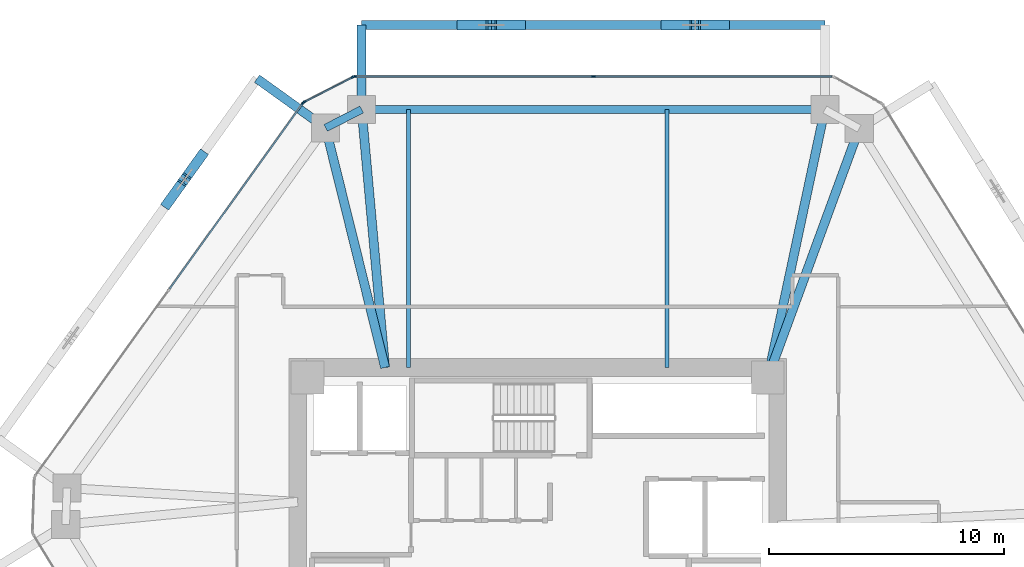
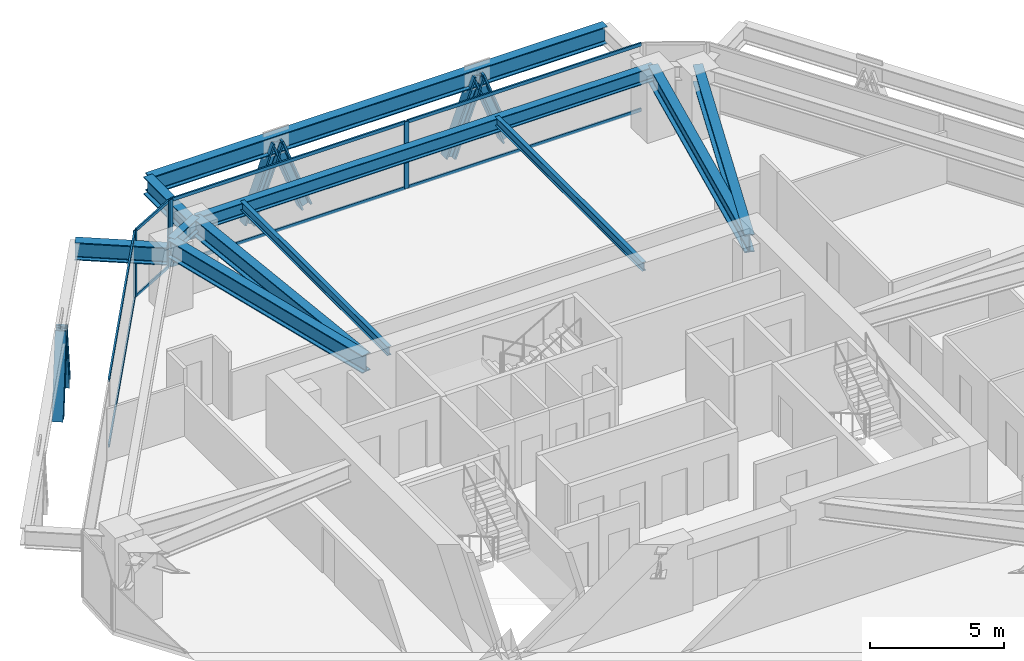
# One storey, part 7 of 15: 19 members, 11 beams, 3 elements without a shape of their own.
"""IFC4 building model written with IfcOpenShell, lengths in metres."""

from ifc_helpers import new_model, si_unit, direction, frame, origin, origin_2d, place, context, subcontext, project, spatial, rectangle, i_section, extrude, source, transform, mapped, material, layer, layer_set, material_profile, profile_set, type_object, type_shapes, element, aggregate, save


model = new_model("IFC4")

# Units and contexts
model_context = context("Model", 3, precision=1e-05, world=origin(), true_north=direction((0.0, 1.0)))
body_context = subcontext(model_context, "Body", "Model", "MODEL_VIEW")
ifc_project = project(units=[si_unit("LENGTHUNIT", "METRE"), si_unit("AREAUNIT", "SQUARE_METRE"), si_unit("VOLUMEUNIT", "CUBIC_METRE"), si_unit("PLANEANGLEUNIT", "RADIAN"), si_unit("MASSUNIT", "GRAM", prefix="KILO")], contexts=[model_context])

# Site, building, storey
site_placement = place(None, origin())
site = spatial("IfcSite", under=ifc_project, at=site_placement, CompositionType="ELEMENT")
building_placement = place(site_placement, origin())
building = spatial("IfcBuilding", under=site, at=building_placement, Name="Durnholm Broadcast Tower", CompositionType="ELEMENT")
storey_placement = place(building_placement, frame((0.0, 0.0, 97.5)))
storey = spatial("IfcBuildingStorey", under=building, at=storey_placement, Name="L25", CompositionType="ELEMENT", Elevation=97.5)

# Beams
ifc_material_1 = material(Name="Steel ASTM A992 Grade 50", Category="steel")
ifc_material_profile_1 = material_profile(ifc_material_1, i_section(OverallWidth=0.385009765625, OverallDepth=0.802978515625, WebThickness=0.023681640625, FlangeThickness=0.0419921875, FilletRadius=0.032958984375, at=origin_2d()), Name="W30X261")
ifc_profile_set_1 = profile_set([ifc_material_profile_1], Name="Steel ASTM A992 Grade 50")
beam_type_1 = type_object("IfcBeamType", Name="BM-EXO-TIE", PredefinedType="USERDEFINED", material=ifc_profile_set_1)
shared_shape_1 = source(origin(), body_context, "Body", "SweptSolid", [
    extrude(i_section(OverallWidth=0.385009765625, OverallDepth=0.802978515625, WebThickness=0.023681640625, FlangeThickness=0.0419921875, FilletRadius=0.032958984375, at=origin_2d()), origin(), (0.0, 0.0, 1.0), 3.4560546875),
])
beam_1_placement = place(storey_placement, frame((-7.498046875, 19.35888671875, 2.30859375), z_axis=(0.0, 1.0, 0.0), x_axis=(-1.0, 0.0, 0.0)))
element("IfcBeam", 1, at=beam_1_placement, inside=storey, type_object=beam_type_1, Name="L25 exoskeleton stand-off tie bracket F4.2", ObjectType="GIRDER", PredefinedType="USERDEFINED", context=body_context, shape_type="MappedRepresentation", body=[
    mapped(shared_shape_1, transform((0.0, 0.0, 0.0), x_axis=(1.0, 0.0, 0.0), y_axis=(0.0, 1.0, 0.0), z_axis=(0.0, 0.0, 1.0), scale=1.0)),
])
ifc_material_profile_2 = material_profile(ifc_material_1, i_section(OverallWidth=0.3291015625, OverallDepth=0.635009765625, WebThickness=0.017822265625, FlangeThickness=0.031005859375, FilletRadius=0.02783203125, at=origin_2d()), Name="W24X162")
ifc_profile_set_2 = profile_set([ifc_material_profile_2], Name="Steel ASTM A992 Grade 50")
beam_type_2 = type_object("IfcBeamType", Name="STL-SP-W24X162", PredefinedType="SPANDREL", material=ifc_profile_set_2)
shared_shape_2 = source(origin(), body_context, "Body", "SweptSolid", [
    extrude(i_section(OverallWidth=0.3291015625, OverallDepth=0.635009765625, WebThickness=0.017822265625, FlangeThickness=0.031005859375, FilletRadius=0.02783203125, at=origin_2d()), origin(), (0.0, 0.0, 1.0), 1.723876953125),
])
beam_2_placement = place(storey_placement, frame((-9.031982421875, 18.42822265625, 2.7275390625), z_axis=(0.889762904339, 0.456423020959, 0.0), x_axis=(-0.456423020959, 0.889762904339, 0.0)))
element("IfcBeam", 2, at=beam_2_placement, inside=storey, type_object=beam_type_2, Name="L25 perimeter spandrel girder 04", PredefinedType="SPANDREL", context=body_context, shape_type="MappedRepresentation", body=[
    mapped(shared_shape_2, transform((0.0, 0.0, 0.0), x_axis=(1.0, 0.0, 0.0), y_axis=(0.0, 1.0, 0.0), z_axis=(0.0, 0.0, 1.0), scale=1.0)),
])
shared_shape_3 = source(origin(), body_context, "Body", "SweptSolid", [
    extrude(i_section(OverallWidth=0.3291015625, OverallDepth=0.635009765625, WebThickness=0.017822265625, FlangeThickness=0.031005859375, FilletRadius=0.02783203125, at=origin_2d()), origin(), (0.0, 0.0, 1.0), 19.72802734375),
])
type_shapes(beam_type_2, [shared_shape_2, shared_shape_3])
beam_3_placement = place(storey_placement, frame((-7.498046875, 19.215087890625, 2.7275390625), z_axis=(1.0, 0.0, 0.0), x_axis=(0.0, 1.0, 0.0)))
element("IfcBeam", 3, at=beam_3_placement, inside=storey, type_object=beam_type_2, Name="L25 perimeter spandrel girder 05", PredefinedType="SPANDREL", context=body_context, shape_type="MappedRepresentation", body=[
    mapped(shared_shape_3, transform((0.0, 0.0, 0.0), x_axis=(1.0, 0.0, 0.0), y_axis=(0.0, 1.0, 0.0), z_axis=(0.0, 0.0, 1.0), scale=1.0)),
])
ifc_material_profile_3 = material_profile(ifc_material_1, i_section(OverallWidth=0.385009765625, OverallDepth=0.802978515625, WebThickness=0.023681640625, FlangeThickness=0.0419921875, FilletRadius=0.032958984375, at=origin_2d()), Name="W30X261")
ifc_profile_set_3 = profile_set([ifc_material_profile_3], Name="Steel ASTM A992 Grade 50")
beam_type_3 = type_object("IfcBeamType", Name="STL-GR-W30X261", PredefinedType="USERDEFINED", material=ifc_profile_set_3)
shared_shape_4 = source(origin(), body_context, "Body", "SweptSolid", [
    extrude(i_section(OverallWidth=0.385009765625, OverallDepth=0.802978515625, WebThickness=0.023681640625, FlangeThickness=0.0419921875, FilletRadius=0.032958984375, at=origin_2d()), origin(), (0.0, 0.0, 1.0), 10.5126953125),
])
beam_4_placement = place(storey_placement, frame((-6.5, 8.22509765625, 2.6435546875), z_axis=(-0.240852230194, 0.970561797729, 0.0), x_axis=(-0.970561797729, -0.240852230194, 0.0)))
element("IfcBeam", 4, at=beam_4_placement, inside=storey, type_object=beam_type_3, Name="L25 radial primary floor girder 04", ObjectType="GIRDER", PredefinedType="USERDEFINED", context=body_context, shape_type="MappedRepresentation", body=[
    mapped(shared_shape_4, transform((0.0, 0.0, 0.0), x_axis=(1.0, 0.0, 0.0), y_axis=(0.0, 1.0, 0.0), z_axis=(0.0, 0.0, 1.0), scale=1.0)),
])
shared_shape_5 = source(origin(), body_context, "Body", "SweptSolid", [
    extrude(i_section(OverallWidth=0.385009765625, OverallDepth=0.802978515625, WebThickness=0.023681640625, FlangeThickness=0.0419921875, FilletRadius=0.032958984375, at=origin_2d()), origin(), (0.0, 0.0, 1.0), 11.03515625),
])
beam_5_placement = place(storey_placement, frame((-6.5, 8.22509765625, 2.6435546875), z_axis=(-0.090441991612, 0.995901725148, 0.0), x_axis=(-0.995901725148, -0.090441991612, 0.0)))
element("IfcBeam", 5, at=beam_5_placement, inside=storey, type_object=beam_type_3, Name="L25 radial primary floor girder 05", ObjectType="GIRDER", PredefinedType="USERDEFINED", context=body_context, shape_type="MappedRepresentation", body=[
    mapped(shared_shape_5, transform((0.0, 0.0, 0.0), x_axis=(1.0, 0.0, 0.0), y_axis=(0.0, 1.0, 0.0), z_axis=(0.0, 0.0, 1.0), scale=1.0)),
])
shared_shape_6 = source(origin(), body_context, "Body", "SweptSolid", [
    extrude(i_section(OverallWidth=0.385009765625, OverallDepth=0.802978515625, WebThickness=0.023681640625, FlangeThickness=0.0419921875, FilletRadius=0.032958984375, at=origin_2d()), origin(), (0.0, 0.0, 1.0), 11.6708984375),
])
beam_6_placement = place(storey_placement, frame((9.800048828125, 7.800048828125, 2.6435546875), z_axis=(0.208206004915, 0.97808499606, 0.0), x_axis=(-0.97808499606, 0.208206004915, 0.0)))
element("IfcBeam", 6, at=beam_6_placement, inside=storey, type_object=beam_type_3, Name="L25 radial primary floor girder 06", ObjectType="GIRDER", PredefinedType="USERDEFINED", context=body_context, shape_type="MappedRepresentation", body=[
    mapped(shared_shape_6, transform((0.0, 0.0, 0.0), x_axis=(1.0, 0.0, 0.0), y_axis=(0.0, 1.0, 0.0), z_axis=(0.0, 0.0, 1.0), scale=1.0)),
])
shared_shape_7 = source(origin(), body_context, "Body", "SweptSolid", [
    extrude(i_section(OverallWidth=0.385009765625, OverallDepth=0.802978515625, WebThickness=0.023681640625, FlangeThickness=0.0419921875, FilletRadius=0.032958984375, at=origin_2d()), origin(), (0.0, 0.0, 1.0), 11.293212890625),
])
type_shapes(beam_type_3, [shared_shape_4, shared_shape_5, shared_shape_6, shared_shape_7])
beam_7_placement = place(storey_placement, frame((9.800048828125, 7.800048828125, 2.6435546875), z_axis=(0.344640193759, 0.938734859716, 0.0), x_axis=(-0.938734859716, 0.344640193759, 0.0)))
element("IfcBeam", 7, at=beam_7_placement, inside=storey, type_object=beam_type_3, Name="L25 radial primary floor girder 07", ObjectType="GIRDER", PredefinedType="USERDEFINED", context=body_context, shape_type="MappedRepresentation", body=[
    mapped(shared_shape_7, transform((0.0, 0.0, 0.0), x_axis=(1.0, 0.0, 0.0), y_axis=(0.0, 1.0, 0.0), z_axis=(0.0, 0.0, 1.0), scale=1.0)),
])
ifc_material_profile_4 = material_profile(ifc_material_1, i_section(OverallWidth=0.177734375, OverallDepth=0.40673828125, WebThickness=0.0078125, FlangeThickness=0.0126953125, FilletRadius=0.01904296875, at=origin_2d()), Name="W16X40")
ifc_profile_set_4 = profile_set([ifc_material_profile_4], Name="Steel ASTM A992 Grade 50")
beam_type_4 = type_object("IfcBeamType", Name="STL-BJ-W16X40", PredefinedType="JOIST", material=ifc_profile_set_4)
shared_shape_8 = source(origin(), body_context, "Body", "SweptSolid", [
    extrude(i_section(OverallWidth=0.177734375, OverallDepth=0.40673828125, WebThickness=0.0078125, FlangeThickness=0.0126953125, FilletRadius=0.01904296875, at=origin_2d()), origin(), (0.0, 0.0, 1.0), 10.989990234375),
])
type_shapes(beam_type_4, [shared_shape_8])
for number, where, z_axis, x_axis, name in (
    (8, (-5.5, 8.22509765625, 2.841796875), (0.0, 1.0, 0.0), (-1.0, 0.0, 0.0), "L25 secondary floor joist 3.2"),
    (9, (5.5, 8.22509765625, 2.841796875), (0.0, 1.0, 0.0), (-1.0, 0.0, 0.0), "L25 secondary floor joist 4.2"),
):
    element("IfcBeam", number, at=place(storey_placement, frame(where, z_axis=z_axis, x_axis=x_axis)), inside=storey, type_object=beam_type_4, Name=name, PredefinedType="JOIST", context=body_context, shape_type="MappedRepresentation", body=[
        mapped(shared_shape_8, transform((0.0, 0.0, 0.0), x_axis=(1.0, 0.0, 0.0), y_axis=(0.0, 1.0, 0.0), z_axis=(0.0, 0.0, 1.0), scale=1.0)),
    ])
shared_shape_9 = source(origin(), body_context, "Body", "SweptSolid", [
    extrude(i_section(OverallWidth=0.385009765625, OverallDepth=0.802978515625, WebThickness=0.023681640625, FlangeThickness=0.0419921875, FilletRadius=0.032958984375, at=origin_2d()), origin(), (0.0, 0.0, 1.0), 19.72802734375),
])
beam_8_placement = place(storey_placement, frame((12.22998046875, 22.81494140625, 2.30859375), z_axis=(-1.0, 0.0, 0.0), x_axis=(0.0, -1.0, 0.0)))
element("IfcBeam", 10, at=beam_8_placement, inside=storey, type_object=beam_type_1, Name="L25 exoskeleton collector spandrel F4", PredefinedType="SPANDREL", context=body_context, shape_type="MappedRepresentation", body=[
    mapped(shared_shape_9, transform((0.0, 0.0, 0.0), x_axis=(1.0, 0.0, 0.0), y_axis=(0.0, 1.0, 0.0), z_axis=(0.0, 0.0, 1.0), scale=1.0)),
])
shared_shape_10 = source(origin(), body_context, "Body", "SweptSolid", [
    extrude(i_section(OverallWidth=0.385009765625, OverallDepth=0.802978515625, WebThickness=0.023681640625, FlangeThickness=0.0419921875, FilletRadius=0.032958984375, at=origin_2d()), origin(), (0.0, 0.0, 1.0), 3.456298828125),
])
type_shapes(beam_type_1, [shared_shape_1, shared_shape_9, shared_shape_10])
beam_9_placement = place(storey_placement, frame((-9.14892578125, 18.51220703125, 2.30859375), z_axis=(-0.812131479052, 0.583474473077, 0.0), x_axis=(-0.583474473077, -0.812131479052, 0.0)))
element("IfcBeam", 11, at=beam_9_placement, inside=storey, type_object=beam_type_1, Name="L25 exoskeleton stand-off tie bracket F5.1", ObjectType="GIRDER", PredefinedType="USERDEFINED", context=body_context, shape_type="MappedRepresentation", body=[
    mapped(shared_shape_10, transform((0.0, 0.0, 0.0), x_axis=(1.0, 0.0, 0.0), y_axis=(0.0, 1.0, 0.0), z_axis=(0.0, 0.0, 1.0), scale=1.0)),
])

# Members
ifc_material_2 = material(Name="Steel ASTM A913 Grade 65", Category="steel")
ifc_material_profile_5 = material_profile(ifc_material_2, i_section(OverallWidth=0.424072265625, OverallDepth=0.47412109375, WebThickness=0.047607421875, FlangeThickness=0.0771484375, FilletRadius=0.030517578125, at=origin_2d()), Name="W14X426")
ifc_profile_set_5 = profile_set([ifc_material_profile_5], Name="Steel ASTM A913 Grade 65")
member_type_1 = type_object("IfcMemberType", Name="STL-DG-W14X426", PredefinedType="BRACE", material=ifc_profile_set_5)
shared_shape_11 = source(origin(), body_context, "Body", "SweptSolid", [
    extrude(i_section(OverallWidth=0.424072265625, OverallDepth=0.47412109375, WebThickness=0.047607421875, FlangeThickness=0.0771484375, FilletRadius=0.030517578125, at=origin_2d()), origin(), (0.0, 0.0, 1.0), 3.523193359375),
])
type_shapes(member_type_1, [shared_shape_11])
for number, where, z_axis, x_axis, name in (
    (12, (7.93994140625, 22.81494140625, -0.991455078125), (-0.350219588454, 0.0, 0.936667625075), (0.0, -1.0, 0.0), "L25 stand-off diagrid brace F4.D1.1"),
    (13, (5.472412109375, 22.81494140625, -0.991455078125), (0.350158790071, 0.0, 0.936690355313), (0.0, 1.0, 0.0), "L25 stand-off diagrid brace F4.D1.2"),
    (14, (-0.740478515625, 22.81494140625, -0.991455078125), (-0.350219588454, 0.0, 0.936667625075), (0.0, -1.0, 0.0), "L25 stand-off diagrid brace F4.D2.1"),
    (15, (-3.2080078125, 22.81494140625, -0.991455078125), (0.350158790071, 0.0, 0.936690355313), (0.0, 1.0, 0.0), "L25 stand-off diagrid brace F4.D2.2"),
    (16, (-14.321044921875, 17.236328125, -0.991455078125), (-0.204287819296, -0.284395254542, 0.936688756248), (0.812179469647, -0.583407669717, 0.0), "L25 stand-off diagrid brace F5.D1.1"),
    (17, (-15.7607421875, 15.232421875, -0.991455078125), (0.204354222964, 0.284391227889, 0.936675493998), (-0.812085698931, 0.583538188632, 0.0), "L25 stand-off diagrid brace F5.D1.2"),
):
    element("IfcMember", number, at=place(storey_placement, frame(where, z_axis=z_axis, x_axis=x_axis)), inside=storey, type_object=member_type_1, Name=name, PredefinedType="BRACE", context=body_context, shape_type="MappedRepresentation", body=[
        mapped(shared_shape_11, transform((0.0, 0.0, 0.0), x_axis=(1.0, 0.0, 0.0), y_axis=(0.0, 1.0, 0.0), z_axis=(0.0, 0.0, 1.0), scale=1.0)),
    ])

# Curtain wall, members
ifc_material_3 = material(Name="Aluminium and Solar Control IGU", Category="aluminium")
ifc_layer_1 = layer(ifc_material_3, 0.1650390625)
ifc_layer_set_1 = layer_set([ifc_layer_1], Name="Aluminium and Solar Control IGU")
curtain_wall_type_1 = type_object("IfcCurtainWallType", Name="CW-SYS-5", PredefinedType="NOTDEFINED", material=ifc_layer_set_1)
curtain_wall_1_placement = place(storey_placement, origin())
curtain_wall_1 = element("IfcCurtainWall", 18, at=curtain_wall_1_placement, inside=storey, type_object=curtain_wall_type_1, Name="L25 curtain wall CW-CORNER CW-L25-CRN-03", PredefinedType="NOTDEFINED")
ifc_material_4 = material(Name="Aluminium 6063-T6", Category="aluminium")
ifc_material_profile_6 = material_profile(ifc_material_4, rectangle(XDim=0.06494140625, YDim=0.1650390625, at=origin_2d()), Name="CWM65X165")
ifc_profile_set_6 = profile_set([ifc_material_profile_6], Name="Aluminium 6063-T6")
member_type_2 = type_object("IfcMemberType", Name="CW-SYS-5-MUL", PredefinedType="MULLION", material=ifc_profile_set_6)
shared_shape_12 = source(origin(), body_context, "Body", "SweptSolid", [
    extrude(rectangle(XDim=0.06494140625, YDim=0.1650390625, at=origin_2d()), origin(), (0.0, 0.0, 1.0), 3.06005859375),
])
type_shapes(member_type_2, [shared_shape_12])
member_1_placement = place(storey_placement, frame((-9.94287109375, 19.534423828125, 0.0), z_axis=(0.0, 0.0, 1.0), x_axis=(-0.45637332267, 0.889788396392, 0.0)))
member_1 = element("IfcMember", 19, at=member_1_placement, type_object=member_type_2, Name="CW-CORNER mullion 1", PredefinedType="MULLION", context=body_context, shape_type="MappedRepresentation", body=[
    mapped(shared_shape_12, transform((0.0, 0.0, 0.0), x_axis=(1.0, 0.0, 0.0), y_axis=(0.0, 1.0, 0.0), z_axis=(0.0, 0.0, 1.0), scale=1.0)),
])
member_2_placement = place(storey_placement, frame((-7.865234375, 20.60009765625, 0.0), z_axis=(0.0, 0.0, 1.0), x_axis=(-0.45637332267, 0.889788396392, 0.0)))
member_2 = element("IfcMember", 20, at=member_2_placement, type_object=member_type_2, Name="CW-CORNER mullion 2", PredefinedType="MULLION", context=body_context, shape_type="MappedRepresentation", body=[
    mapped(shared_shape_12, transform((0.0, 0.0, 0.0), x_axis=(1.0, 0.0, 0.0), y_axis=(0.0, 1.0, 0.0), z_axis=(0.0, 0.0, 1.0), scale=1.0)),
])

# Curtain wall, member
ifc_layer_2 = layer(ifc_material_3, 0.18994140625)
ifc_layer_set_2 = layer_set([ifc_layer_2], Name="Aluminium and Solar Control IGU")
curtain_wall_type_2 = type_object("IfcCurtainWallType", Name="CW-SYS-3", PredefinedType="NOTDEFINED", material=ifc_layer_set_2)
curtain_wall_2_placement = place(storey_placement, origin())
curtain_wall_2 = element("IfcCurtainWall", 21, at=curtain_wall_2_placement, inside=storey, type_object=curtain_wall_type_2, Name="L25 curtain wall CW-Z12-VIS CW-L25-F02", PredefinedType="NOTDEFINED")
ifc_material_profile_7 = material_profile(ifc_material_4, rectangle(XDim=0.070068359375, YDim=0.18994140625, at=origin_2d()), Name="CWM70X190")
ifc_profile_set_7 = profile_set([ifc_material_profile_7], Name="Aluminium 6063-T6")
member_type_3 = type_object("IfcMemberType", Name="CW-SYS-3-MUL", PredefinedType="MULLION", material=ifc_profile_set_7)
shared_shape_13 = source(origin(), body_context, "Body", "SweptSolid", [
    extrude(rectangle(XDim=0.070068359375, YDim=0.18994140625, at=origin_2d()), origin(), (0.0, 0.0, 1.0), 3.06005859375),
])
type_shapes(member_type_3, [shared_shape_13])
member_3_placement = place(storey_placement, frame((-9.9921875, 19.4912109375, 0.0), z_axis=(0.0, 0.0, 1.0), x_axis=(-0.812152312759, 0.583445473786, 0.0)))
member_3 = element("IfcMember", 22, at=member_3_placement, type_object=member_type_3, Name="CW-Z12-VIS mullion 3", PredefinedType="MULLION", context=body_context, shape_type="MappedRepresentation", body=[
    mapped(shared_shape_13, transform((0.0, 0.0, 0.0), x_axis=(1.0, 0.0, 0.0), y_axis=(0.0, 1.0, 0.0), z_axis=(0.0, 0.0, 1.0), scale=1.0)),
])

# Curtain wall, members
curtain_wall_3_placement = place(storey_placement, origin())
curtain_wall_3 = element("IfcCurtainWall", 23, at=curtain_wall_3_placement, inside=storey, type_object=curtain_wall_type_2, Name="L25 curtain wall CW-Z12-VIS CW-L25-F04", PredefinedType="NOTDEFINED")
member_4_placement = place(storey_placement, frame((-7.80126953125, 20.614990234375, 0.0), z_axis=(0.0, 0.0, 1.0), x_axis=(0.0, 1.0, 0.0)))
member_4 = element("IfcMember", 24, at=member_4_placement, type_object=member_type_3, Name="CW-Z12-VIS mullion 1", PredefinedType="MULLION", context=body_context, shape_type="MappedRepresentation", body=[
    mapped(shared_shape_13, transform((0.0, 0.0, 0.0), x_axis=(1.0, 0.0, 0.0), y_axis=(0.0, 1.0, 0.0), z_axis=(0.0, 0.0, 1.0), scale=1.0)),
])
member_5_placement = place(storey_placement, frame((2.37841796875, 20.614990234375, 0.0), z_axis=(0.0, 0.0, 1.0), x_axis=(0.0, 1.0, 0.0)))
member_5 = element("IfcMember", 25, at=member_5_placement, type_object=member_type_3, Name="CW-Z12-VIS mullion 2", PredefinedType="MULLION", context=body_context, shape_type="MappedRepresentation", body=[
    mapped(shared_shape_13, transform((0.0, 0.0, 0.0), x_axis=(1.0, 0.0, 0.0), y_axis=(0.0, 1.0, 0.0), z_axis=(0.0, 0.0, 1.0), scale=1.0)),
])

# Member
ifc_material_profile_8 = material_profile(ifc_material_4, rectangle(XDim=0.06494140625, YDim=0.1298828125, at=origin_2d()), Name="CWT65X130")
ifc_profile_set_8 = profile_set([ifc_material_profile_8], Name="Aluminium 6063-T6")
member_type_4 = type_object("IfcMemberType", Name="CW-SYS-5-TRN", PredefinedType="USERDEFINED", material=ifc_profile_set_8)
shared_shape_14 = source(origin(), body_context, "Body", "SweptSolid", [
    extrude(rectangle(XDim=0.06494140625, YDim=0.1298828125, at=origin_2d()), origin(), (0.0, 0.0, 1.0), 2.27001953125),
])
type_shapes(member_type_4, [shared_shape_14])
member_6_placement = place(storey_placement, frame((-9.913818359375, 19.54931640625, 0.032470703125), z_axis=(0.889754750021, 0.456438916849, 0.0), x_axis=(-0.456438916849, 0.889754750021, 0.0)))
member_6 = element("IfcMember", 26, at=member_6_placement, type_object=member_type_4, Name="CW-CORNER transom 1.1", ObjectType="TRANSOM", PredefinedType="USERDEFINED", context=body_context, shape_type="MappedRepresentation", body=[
    mapped(shared_shape_14, transform((0.0, 0.0, 0.0), x_axis=(1.0, 0.0, 0.0), y_axis=(0.0, 1.0, 0.0), z_axis=(0.0, 0.0, 1.0), scale=1.0)),
])

member_7_placement = place(storey_placement, frame((-9.913818359375, 19.54931640625, 3.027587890625), z_axis=(0.889754750021, 0.456438916849, 0.0), x_axis=(-0.456438916849, 0.889754750021, 0.0)))
member_7 = element("IfcMember", 27, at=member_7_placement, type_object=member_type_4, Name="CW-CORNER transom 1.2", ObjectType="TRANSOM", PredefinedType="USERDEFINED", context=body_context, shape_type="MappedRepresentation", body=[
    mapped(shared_shape_14, transform((0.0, 0.0, 0.0), x_axis=(1.0, 0.0, 0.0), y_axis=(0.0, 1.0, 0.0), z_axis=(0.0, 0.0, 1.0), scale=1.0)),
])

aggregate(curtain_wall_1, [member_1, member_2, member_6, member_7])

ifc_material_profile_9 = material_profile(ifc_material_4, rectangle(XDim=0.070068359375, YDim=0.14990234375, at=origin_2d()), Name="CWT70X150")
ifc_profile_set_9 = profile_set([ifc_material_profile_9], Name="Aluminium 6063-T6")
member_type_5 = type_object("IfcMemberType", Name="CW-SYS-3-TRN", PredefinedType="USERDEFINED", material=ifc_profile_set_9)
shared_shape_15 = source(origin(), body_context, "Body", "SweptSolid", [
    extrude(rectangle(XDim=0.070068359375, YDim=0.14990234375, at=origin_2d()), origin(), (0.0, 0.0, 1.0), 9.71875),
])
member_8_placement = place(storey_placement, frame((-15.682861328125, 11.56982421875, 0.034912109375), z_axis=(0.583450726174, 0.812148539448, 0.0), x_axis=(-0.812148539448, 0.583450726174, 0.0)))
member_8 = element("IfcMember", 28, at=member_8_placement, type_object=member_type_5, Name="CW-Z12-VIS transom 2.1", ObjectType="TRANSOM", PredefinedType="USERDEFINED", context=body_context, shape_type="MappedRepresentation", body=[
    mapped(shared_shape_15, transform((0.0, 0.0, 0.0), x_axis=(1.0, 0.0, 0.0), y_axis=(0.0, 1.0, 0.0), z_axis=(0.0, 0.0, 1.0), scale=1.0)),
])

member_9_placement = place(storey_placement, frame((-15.682861328125, 11.56982421875, 3.02490234375), z_axis=(0.583450726174, 0.812148539448, 0.0), x_axis=(-0.812148539448, 0.583450726174, 0.0)))
member_9 = element("IfcMember", 29, at=member_9_placement, type_object=member_type_5, Name="CW-Z12-VIS transom 2.2", ObjectType="TRANSOM", PredefinedType="USERDEFINED", context=body_context, shape_type="MappedRepresentation", body=[
    mapped(shared_shape_15, transform((0.0, 0.0, 0.0), x_axis=(1.0, 0.0, 0.0), y_axis=(0.0, 1.0, 0.0), z_axis=(0.0, 0.0, 1.0), scale=1.0)),
])

aggregate(curtain_wall_2, [member_3, member_8, member_9])

shared_shape_16 = source(origin(), body_context, "Body", "SweptSolid", [
    extrude(rectangle(XDim=0.070068359375, YDim=0.14990234375, at=origin_2d()), origin(), (0.0, 0.0, 1.0), 10.109619140625),
])
type_shapes(member_type_5, [shared_shape_15, shared_shape_16])
member_10_placement = place(storey_placement, frame((-7.76611328125, 20.614990234375, 0.034912109375), z_axis=(1.0, 0.0, 0.0), x_axis=(0.0, 1.0, 0.0)))
member_10 = element("IfcMember", 30, at=member_10_placement, type_object=member_type_5, Name="CW-Z12-VIS transom 1.1", ObjectType="TRANSOM", PredefinedType="USERDEFINED", context=body_context, shape_type="MappedRepresentation", body=[
    mapped(shared_shape_16, transform((0.0, 0.0, 0.0), x_axis=(1.0, 0.0, 0.0), y_axis=(0.0, 1.0, 0.0), z_axis=(0.0, 0.0, 1.0), scale=1.0)),
])

member_11_placement = place(storey_placement, frame((-7.76611328125, 20.614990234375, 3.02490234375), z_axis=(1.0, 0.0, 0.0), x_axis=(0.0, 1.0, 0.0)))
member_11 = element("IfcMember", 31, at=member_11_placement, type_object=member_type_5, Name="CW-Z12-VIS transom 1.2", ObjectType="TRANSOM", PredefinedType="USERDEFINED", context=body_context, shape_type="MappedRepresentation", body=[
    mapped(shared_shape_16, transform((0.0, 0.0, 0.0), x_axis=(1.0, 0.0, 0.0), y_axis=(0.0, 1.0, 0.0), z_axis=(0.0, 0.0, 1.0), scale=1.0)),
])

member_12_placement = place(storey_placement, frame((2.41357421875, 20.614990234375, 0.034912109375), z_axis=(1.0, 0.0, 0.0), x_axis=(0.0, 1.0, 0.0)))
member_12 = element("IfcMember", 32, at=member_12_placement, type_object=member_type_5, Name="CW-Z12-VIS transom 2.1", ObjectType="TRANSOM", PredefinedType="USERDEFINED", context=body_context, shape_type="MappedRepresentation", body=[
    mapped(shared_shape_16, transform((0.0, 0.0, 0.0), x_axis=(1.0, 0.0, 0.0), y_axis=(0.0, 1.0, 0.0), z_axis=(0.0, 0.0, 1.0), scale=1.0)),
])

member_13_placement = place(storey_placement, frame((2.41357421875, 20.614990234375, 3.02490234375), z_axis=(1.0, 0.0, 0.0), x_axis=(0.0, 1.0, 0.0)))
member_13 = element("IfcMember", 33, at=member_13_placement, type_object=member_type_5, Name="CW-Z12-VIS transom 2.2", ObjectType="TRANSOM", PredefinedType="USERDEFINED", context=body_context, shape_type="MappedRepresentation", body=[
    mapped(shared_shape_16, transform((0.0, 0.0, 0.0), x_axis=(1.0, 0.0, 0.0), y_axis=(0.0, 1.0, 0.0), z_axis=(0.0, 0.0, 1.0), scale=1.0)),
])

aggregate(curtain_wall_3, [member_4, member_5, member_10, member_11, member_12, member_13])

save(model, "model.ifc")
